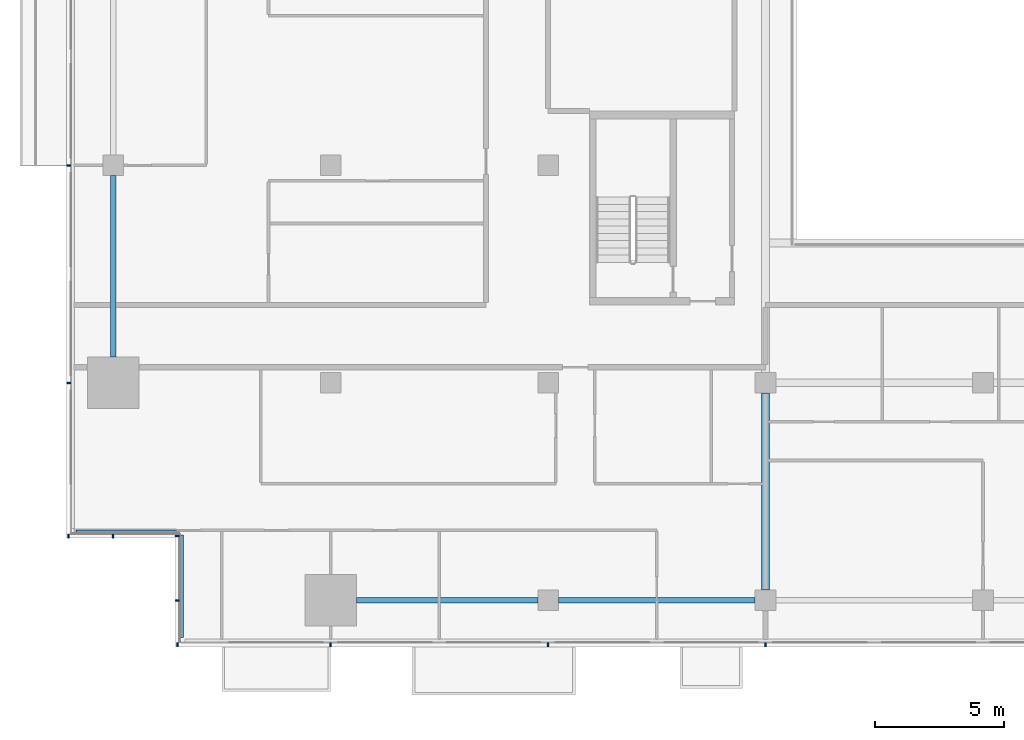
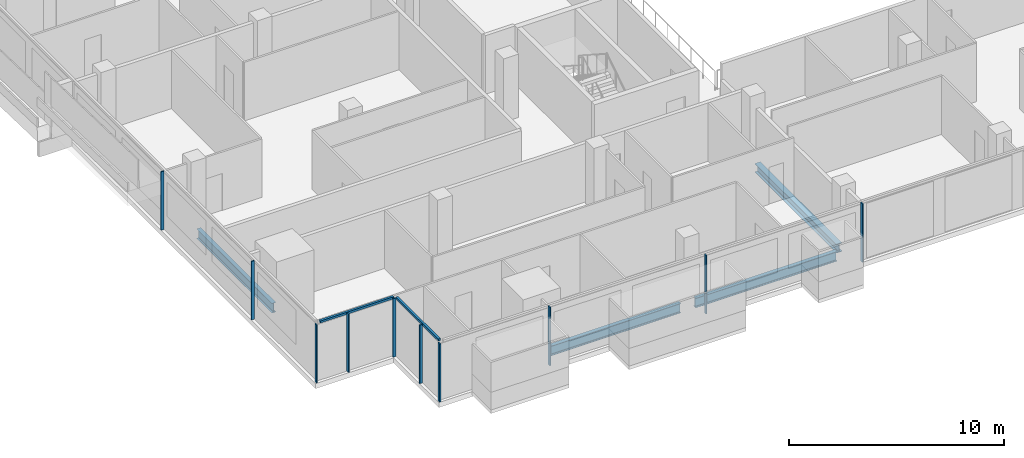
# One storey, part 2 of 27: 12 members, 4 beams, 4 elements without a shape of their own.
"""IFC4 building model written with IfcOpenShell, lengths in metres."""

from ifc_helpers import new_model, si_unit, direction, frame, origin, origin_2d, place, context, subcontext, project, spatial, rectangle, i_section, extrude, material, material_profile, profile_set, type_object, element, aggregate, save


model = new_model("IFC4")

# Units and contexts
model_context = context("Model", 3, precision=1e-05, world=origin(), true_north=direction((0.0, 1.0)))
body_context = subcontext(model_context, "Body", "Model", "MODEL_VIEW")
ifc_project = project(units=[si_unit("LENGTHUNIT", "METRE"), si_unit("AREAUNIT", "SQUARE_METRE"), si_unit("VOLUMEUNIT", "CUBIC_METRE"), si_unit("PLANEANGLEUNIT", "RADIAN"), si_unit("MASSUNIT", "GRAM", prefix="KILO")], contexts=[model_context])

# Site, building, storey
site_placement = place(None, origin())
site = spatial("IfcSite", under=ifc_project, at=site_placement, CompositionType="ELEMENT")
building_placement = place(site_placement, origin())
building = spatial("IfcBuilding", under=site, at=building_placement, Name="Saffron Gate Tower", CompositionType="ELEMENT")
storey_placement = place(building_placement, frame((0.0, 0.0, 109.64990234375)))
storey = spatial("IfcBuildingStorey", under=building, at=storey_placement, Name="L25", CompositionType="ELEMENT", Elevation=109.64990234375)

# Beams
ifc_material_1 = material(Name="Structural steel S355", Category="steel")
ifc_material_profile_1 = material_profile(ifc_material_1, i_section(OverallWidth=0.2099609375, OverallDepth=0.550048828125, WebThickness=0.010986328125, FlangeThickness=0.01708984375, FilletRadius=0.02392578125, at=origin_2d()))
ifc_profile_set_1 = profile_set([ifc_material_profile_1], Name="Structural steel S355")
beam_type_1 = type_object("IfcBeamType", Name="B13 IPE 550", PredefinedType="SPANDREL", material=ifc_profile_set_1)
for number, where, z_axis, x_axis, name in (
    (1, (49.800048828125, 41.199951171875, -0.554931640625), (0.0, 1.0, 0.0), (-1.0, 0.0, 0.0), "B13 SPANDREL BEAM"),
    (2, (59.199951171875, 31.800048828125, -0.554931640625), (1.0, 0.0, 0.0), (0.0, 1.0, 0.0), "B13 SPANDREL BEAM"),
):
    element("IfcBeam", number, at=place(storey_placement, frame(where, z_axis=z_axis, x_axis=x_axis)), inside=storey, type_object=beam_type_1, Name=name, PredefinedType="SPANDREL", context=body_context, shape_type="SweptSolid", body=[
        extrude(i_section(OverallWidth=0.2099609375, OverallDepth=0.550048828125, WebThickness=0.010986328125, FlangeThickness=0.01708984375, FilletRadius=0.02392578125, at=origin_2d()), origin(), (0.0, 0.0, 1.0), 7.0),
    ])
beam_1_placement = place(storey_placement, frame((67.0, 31.800048828125, -0.554931640625), z_axis=(1.0, 0.0, 0.0), x_axis=(0.0, 1.0, 0.0)))
element("IfcBeam", 3, at=beam_1_placement, inside=storey, type_object=beam_type_1, Name="B13 SPANDREL BEAM", PredefinedType="SPANDREL", context=body_context, shape_type="SweptSolid", body=[
    extrude(i_section(OverallWidth=0.2099609375, OverallDepth=0.550048828125, WebThickness=0.010986328125, FlangeThickness=0.01708984375, FilletRadius=0.02392578125, at=origin_2d()), origin(), (0.0, 0.0, 1.0), 7.60009765625),
])
ifc_material_profile_2 = material_profile(ifc_material_1, i_section(OverallWidth=0.300048828125, OverallDepth=0.489990234375, WebThickness=0.011962890625, FlangeThickness=0.02294921875, FilletRadius=0.027099609375, at=origin_2d()))
ifc_profile_set_2 = profile_set([ifc_material_profile_2], Name="Structural steel S355")
beam_type_2 = type_object("IfcBeamType", Name="B8 HEA 500", PredefinedType="BEAM", material=ifc_profile_set_2)
beam_2_placement = place(storey_placement, frame((75.0, 32.199951171875, -0.52490234375), z_axis=(0.0, 1.0, 0.0), x_axis=(-1.0, 0.0, 0.0)))
element("IfcBeam", 4, at=beam_2_placement, inside=storey, type_object=beam_type_2, Name="B8 FLOOR GIRDER", PredefinedType="BEAM", context=body_context, shape_type="SweptSolid", body=[
    extrude(i_section(OverallWidth=0.300048828125, OverallDepth=0.489990234375, WebThickness=0.011962890625, FlangeThickness=0.02294921875, FilletRadius=0.027099609375, at=origin_2d()), origin(), (0.0, 0.0, 1.0), 7.60009765625),
])

# Curtain wall, members
ifc_material_2 = material(Name="Aluminium, bronze anodised", Category="aluminium")
curtain_wall_type_1 = type_object("IfcCurtainWallType", Name="CWS1 curtain wall front facade", PredefinedType="NOTDEFINED", material=ifc_material_2)
curtain_wall_1_placement = place(storey_placement, origin())
curtain_wall_1 = element("IfcCurtainWall", 5, at=curtain_wall_1_placement, inside=storey, type_object=curtain_wall_type_1, Name="CWS1 run 1", PredefinedType="NOTDEFINED")
ifc_material_profile_3 = material_profile(ifc_material_2, rectangle(XDim=0.159912109375, YDim=0.06005859375, at=origin_2d()))
ifc_profile_set_3 = profile_set([ifc_material_profile_3], Name="Aluminium, bronze anodised")
member_type_1 = type_object("IfcMemberType", Name="CWS1 mullion 60x160", PredefinedType="MULLION", material=ifc_profile_set_3)
member_1_placement = place(storey_placement, frame((52.280029296875, 30.080078125, 0.0), z_axis=(0.0, 0.0, 1.0), x_axis=(0.0, 1.0, 0.0)))
member_1 = element("IfcMember", 6, at=member_1_placement, type_object=member_type_1, Name="CWS1 mullion 1", PredefinedType="MULLION", context=body_context, shape_type="SweptSolid", body=[
    extrude(rectangle(XDim=0.159912109375, YDim=0.06005859375, at=origin_2d()), origin(), (0.0, 0.0, 1.0), 3.320068359375),
])
member_2_placement = place(storey_placement, frame((58.199951171875, 30.080078125, 0.0), z_axis=(0.0, 0.0, 1.0), x_axis=(0.0, 1.0, 0.0)))
member_2 = element("IfcMember", 7, at=member_2_placement, type_object=member_type_1, Name="CWS1 mullion 2", PredefinedType="MULLION", context=body_context, shape_type="SweptSolid", body=[
    extrude(rectangle(XDim=0.159912109375, YDim=0.06005859375, at=origin_2d()), origin(), (0.0, 0.0, 1.0), 3.320068359375),
])
member_3_placement = place(storey_placement, frame((66.60009765625, 30.080078125, 0.0), z_axis=(0.0, 0.0, 1.0), x_axis=(0.0, 1.0, 0.0)))
member_3 = element("IfcMember", 8, at=member_3_placement, type_object=member_type_1, Name="CWS1 mullion 3", PredefinedType="MULLION", context=body_context, shape_type="SweptSolid", body=[
    extrude(rectangle(XDim=0.159912109375, YDim=0.06005859375, at=origin_2d()), origin(), (0.0, 0.0, 1.0), 3.320068359375),
])
member_4_placement = place(storey_placement, frame((75.0, 30.080078125, 0.0), z_axis=(0.0, 0.0, 1.0), x_axis=(0.0, 1.0, 0.0)))
member_4 = element("IfcMember", 9, at=member_4_placement, type_object=member_type_1, Name="CWS1 mullion 4", PredefinedType="MULLION", context=body_context, shape_type="SweptSolid", body=[
    extrude(rectangle(XDim=0.159912109375, YDim=0.06005859375, at=origin_2d()), origin(), (0.0, 0.0, 1.0), 3.320068359375),
])
aggregate(curtain_wall_1, [member_1, member_2, member_3, member_4])

curtain_wall_type_2 = type_object("IfcCurtainWallType", Name="CWS2 curtain wall side facades", PredefinedType="NOTDEFINED", material=ifc_material_2)
curtain_wall_2_placement = place(storey_placement, origin())
curtain_wall_2 = element("IfcCurtainWall", 10, at=curtain_wall_2_placement, inside=storey, type_object=curtain_wall_type_2, Name="CWS2 run 10", PredefinedType="NOTDEFINED")
ifc_material_profile_4 = material_profile(ifc_material_2, rectangle(XDim=0.159912109375, YDim=0.06005859375, at=origin_2d()))
ifc_profile_set_4 = profile_set([ifc_material_profile_4], Name="Aluminium, bronze anodised")
member_type_2 = type_object("IfcMemberType", Name="CWS2 mullion 60x160", PredefinedType="MULLION", material=ifc_profile_set_4)
member_5_placement = place(storey_placement, frame((48.080078125, 48.60009765625, 0.0), z_axis=(0.0, 0.0, 1.0), x_axis=(1.0, 0.0, 0.0)))
member_5 = element("IfcMember", 11, at=member_5_placement, type_object=member_type_2, Name="CWS2 mullion 4", PredefinedType="MULLION", context=body_context, shape_type="SweptSolid", body=[
    extrude(rectangle(XDim=0.159912109375, YDim=0.06005859375, at=origin_2d()), origin(), (0.0, 0.0, 1.0), 3.320068359375),
])
member_6_placement = place(storey_placement, frame((48.080078125, 40.199951171875, 0.0), z_axis=(0.0, 0.0, 1.0), x_axis=(1.0, 0.0, 0.0)))
member_6 = element("IfcMember", 12, at=member_6_placement, type_object=member_type_2, Name="CWS2 mullion 5", PredefinedType="MULLION", context=body_context, shape_type="SweptSolid", body=[
    extrude(rectangle(XDim=0.159912109375, YDim=0.06005859375, at=origin_2d()), origin(), (0.0, 0.0, 1.0), 3.320068359375),
])
aggregate(curtain_wall_2, [member_5, member_6])

# Curtain wall, member
curtain_wall_type_3 = type_object("IfcCurtainWallType", Name="CWS4 curtain wall corner returns", PredefinedType="NOTDEFINED", material=ifc_material_2)
curtain_wall_3_placement = place(storey_placement, origin())
curtain_wall_3 = element("IfcCurtainWall", 13, at=curtain_wall_3_placement, inside=storey, type_object=curtain_wall_type_3, Name="CWS4 run 11", PredefinedType="NOTDEFINED")
ifc_material_profile_5 = material_profile(ifc_material_2, rectangle(XDim=0.1201171875, YDim=0.1201171875, at=origin_2d()))
ifc_profile_set_5 = profile_set([ifc_material_profile_5], Name="Aluminium, bronze anodised")
member_type_3 = type_object("IfcMemberType", Name="CWS4 head transom", PredefinedType="USERDEFINED", material=ifc_profile_set_5)
member_7_placement = place(storey_placement, frame((48.367919921875, 34.447998046875, 3.260009765625), z_axis=(1.0, 0.0, 0.0), x_axis=(0.0, 1.0, 0.0)))
member_7 = element("IfcMember", 14, at=member_7_placement, type_object=member_type_3, Name="CWS4 head transom", ObjectType="TRANSOM", PredefinedType="USERDEFINED", context=body_context, shape_type="SweptSolid", body=[
    extrude(rectangle(XDim=0.1201171875, YDim=0.1201171875, at=origin_2d()), origin(), (0.0, 0.0, 1.0), 3.9599609375),
])

curtain_wall_4_placement = place(storey_placement, origin())
curtain_wall_4 = element("IfcCurtainWall", 15, at=curtain_wall_4_placement, inside=storey, type_object=curtain_wall_type_3, Name="CWS4 run 12", PredefinedType="NOTDEFINED")
member_8_placement = place(storey_placement, frame((52.447998046875, 34.327880859375, 3.260009765625), z_axis=(0.0, -1.0, 0.0), x_axis=(1.0, 0.0, 0.0)))
member_8 = element("IfcMember", 16, at=member_8_placement, type_object=member_type_3, Name="CWS4 head transom", ObjectType="TRANSOM", PredefinedType="USERDEFINED", context=body_context, shape_type="SweptSolid", body=[
    extrude(rectangle(XDim=0.1201171875, YDim=0.1201171875, at=origin_2d()), origin(), (0.0, 0.0, 1.0), 3.9599609375),
])

# Member
ifc_material_profile_6 = material_profile(ifc_material_2, rectangle(XDim=0.159912109375, YDim=0.06005859375, at=origin_2d()))
ifc_profile_set_6 = profile_set([ifc_material_profile_6], Name="Aluminium, bronze anodised")
member_type_4 = type_object("IfcMemberType", Name="CWS4 mullion 60x160", PredefinedType="MULLION", material=ifc_profile_set_6)
member_9_placement = place(storey_placement, frame((48.080078125, 34.280029296875, 0.0), z_axis=(0.0, 0.0, 1.0), x_axis=(0.0, 1.0, 0.0)))
member_9 = element("IfcMember", 17, at=member_9_placement, type_object=member_type_4, Name="CWS4 mullion 1", PredefinedType="MULLION", context=body_context, shape_type="SweptSolid", body=[
    extrude(rectangle(XDim=0.159912109375, YDim=0.06005859375, at=origin_2d()), origin(), (0.0, 0.0, 1.0), 3.320068359375),
])

member_10_placement = place(storey_placement, frame((49.800048828125, 34.280029296875, 0.0), z_axis=(0.0, 0.0, 1.0), x_axis=(0.0, 1.0, 0.0)))
member_10 = element("IfcMember", 18, at=member_10_placement, type_object=member_type_4, Name="CWS4 mullion 2", PredefinedType="MULLION", context=body_context, shape_type="SweptSolid", body=[
    extrude(rectangle(XDim=0.159912109375, YDim=0.06005859375, at=origin_2d()), origin(), (0.0, 0.0, 1.0), 3.320068359375),
])

aggregate(curtain_wall_3, [member_9, member_10, member_7])

member_11_placement = place(storey_placement, frame((52.280029296875, 34.280029296875, 0.0), z_axis=(0.0, 0.0, 1.0), x_axis=(1.0, 0.0, 0.0)))
member_11 = element("IfcMember", 19, at=member_11_placement, type_object=member_type_4, Name="CWS4 mullion 1", PredefinedType="MULLION", context=body_context, shape_type="SweptSolid", body=[
    extrude(rectangle(XDim=0.159912109375, YDim=0.06005859375, at=origin_2d()), origin(), (0.0, 0.0, 1.0), 3.320068359375),
])

member_12_placement = place(storey_placement, frame((52.280029296875, 31.800048828125, 0.0), z_axis=(0.0, 0.0, 1.0), x_axis=(1.0, 0.0, 0.0)))
member_12 = element("IfcMember", 20, at=member_12_placement, type_object=member_type_4, Name="CWS4 mullion 2", PredefinedType="MULLION", context=body_context, shape_type="SweptSolid", body=[
    extrude(rectangle(XDim=0.159912109375, YDim=0.06005859375, at=origin_2d()), origin(), (0.0, 0.0, 1.0), 3.320068359375),
])

aggregate(curtain_wall_4, [member_11, member_12, member_8])

save(model, "model.ifc")
